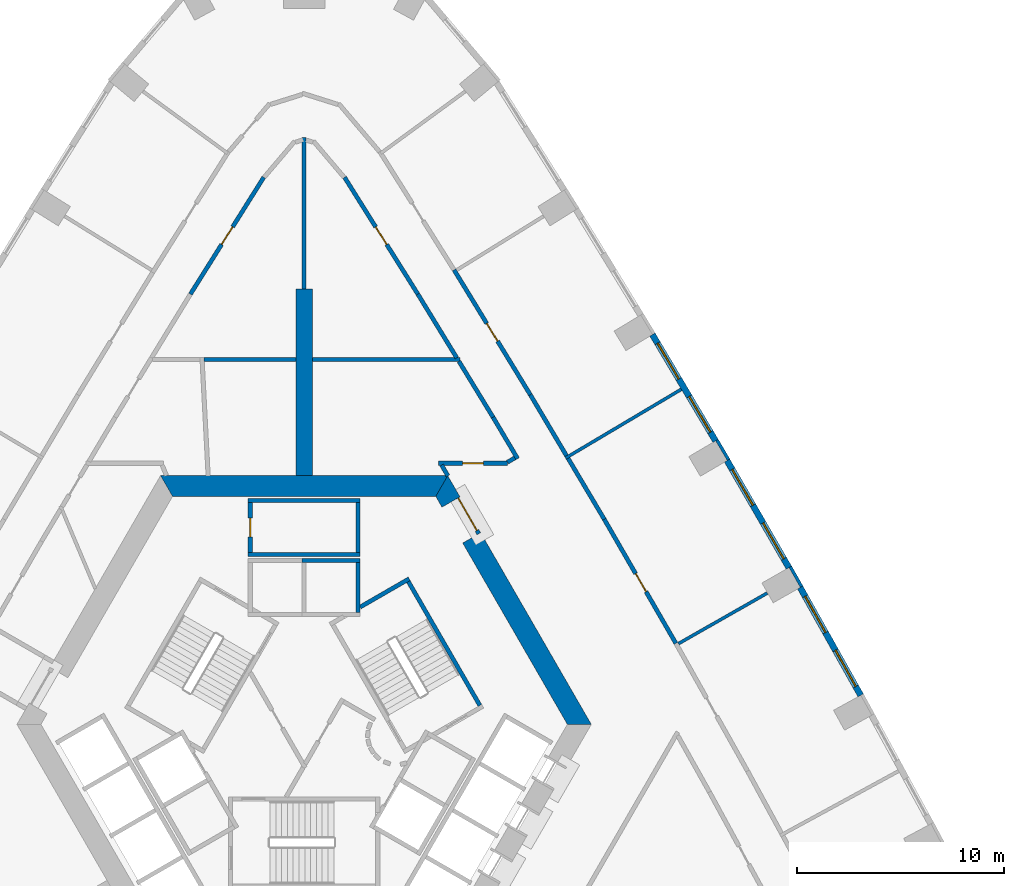
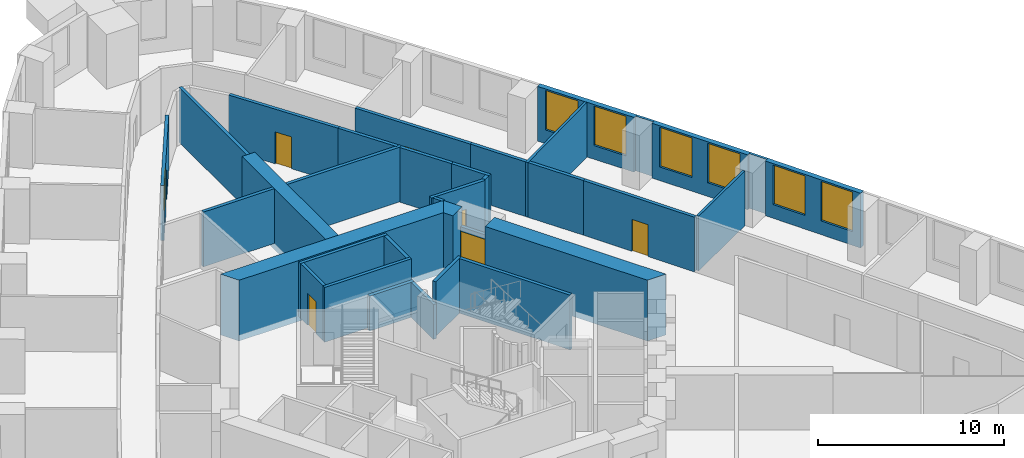
# One storey, part 9 of 14: 35 walls, 7 doors, 6 windows, 13 openings.
"""IFC4 building model written with IfcOpenShell, lengths in metres."""

import ifcopenshell
import ifcopenshell.guid

model = None  # the IFC model being written
_history = None  # IfcOwnerHistory: only IFC2X3 demands one
_inside = {}  # id of a spatial element -> (the spatial element, [elements in it])
_under = {}  # id of a project, library or spatial element -> (it, [spatial elements below it])
_declared = {}  # id of a project -> (the project, [libraries it declares])
_typed = {}  # id of a type object -> (the type object, [elements of that type])
_made_of = {}  # id of a material, layer set ... -> (it, [elements and type objects made of it])


def new_model(schema):
    """Start an empty IFC model of exactly this schema.

    Asked for "IFC4X3", IfcOpenShell would pick the latest addendum, in which some entities
    have other attributes; the version numbers below select the first issue.
    IFC2X3 requires an IfcOwnerHistory on every rooted entity: one is made here for all.
    """
    global model, _history
    if schema == "IFC4X3":
        model = ifcopenshell.file(schema_version=(4, 3, 0, 0))
    else:
        model = ifcopenshell.file(schema=schema)
    _inside.clear()
    _under.clear()
    _declared.clear()
    _typed.clear()
    _made_of.clear()
    _history = None
    if model.schema == "IFC2X3":
        org = make("IfcOrganization", Name="unknown")
        user = make(
            "IfcPersonAndOrganization",
            ThePerson=make("IfcPerson", FamilyName="unknown"),
            TheOrganization=org,
        )
        app = make(
            "IfcApplication",
            ApplicationDeveloper=org,
            Version="unknown",
            ApplicationFullName="unknown",
            ApplicationIdentifier="unknown",
        )
        _history = make(
            "IfcOwnerHistory",
            OwningUser=user,
            OwningApplication=app,
            ChangeAction="ADDED",
            CreationDate=0,
        )
    return model


def make(cls, **values):
    """One entity of the class cls with the attributes given. An attribute that is None is left unset."""
    return model.create_entity(
        cls, **{name: value for name, value in values.items() if value is not None}
    )


def rooted(cls, **values):
    """An entity with a GlobalId (a new one), such as an element, a storey or a relation."""
    return make(cls, GlobalId=ifcopenshell.guid.new(), OwnerHistory=_history, **values)


def si_unit(unit_type, name, prefix=None):
    """IfcSIUnit, for example si_unit("LENGTHUNIT", "METRE", prefix="MILLI")."""
    return make("IfcSIUnit", UnitType=unit_type, Prefix=prefix, Name=name)


def assignment(units):
    """IfcUnitAssignment: the units of a project."""
    return None if units is None else make("IfcUnitAssignment", Units=units)


def point(xyz):
    """IfcCartesianPoint."""
    return None if xyz is None else make("IfcCartesianPoint", Coordinates=xyz)


def direction(xyz):
    """IfcDirection."""
    return None if xyz is None else make("IfcDirection", DirectionRatios=xyz)


def frame(location, z_axis=None, x_axis=None):
    """IfcAxis2Placement3D, a coordinate frame: its origin and axes. An axis left out is left unset."""
    return make(
        "IfcAxis2Placement3D",
        Location=point(location),
        Axis=direction(z_axis),
        RefDirection=direction(x_axis),
    )


def frame_2d(location, x_axis=None):
    """IfcAxis2Placement2D, a coordinate frame in the plane: its origin and x axis."""
    return make(
        "IfcAxis2Placement2D", Location=point(location), RefDirection=direction(x_axis)
    )


def origin():
    """The frame at (0, 0, 0) with its axes left unset."""
    return frame((0.0, 0.0, 0.0))


def place(relative_to, where):
    """IfcLocalPlacement: puts the frame where relative to a parent placement (None: the world)."""
    return make(
        "IfcLocalPlacement", PlacementRelTo=relative_to, RelativePlacement=where
    )


def context(
    kind, dimensions, precision=None, world=None, true_north=None, identifier=None
):
    """IfcGeometricRepresentationContext, for example the 3D "Model" context."""
    return make(
        "IfcGeometricRepresentationContext",
        ContextIdentifier=identifier,
        ContextType=kind,
        CoordinateSpaceDimension=dimensions,
        Precision=precision,
        WorldCoordinateSystem=world,
        TrueNorth=true_north,
    )


def subcontext(parent, identifier, kind, view, scale=None):
    """IfcGeometricRepresentationSubContext, for example "Body" below "Model"."""
    return make(
        "IfcGeometricRepresentationSubContext",
        ContextIdentifier=identifier,
        ContextType=kind,
        ParentContext=parent,
        TargetScale=scale,
        TargetView=view,
    )


def project(units=None, contexts=None):
    """IfcProject with its units and contexts."""
    return rooted(
        "IfcProject",
        Name="project",
        RepresentationContexts=contexts,
        UnitsInContext=assignment(units),
    )


def spatial(cls, under=None, at=None, **own):
    """A site, building, storey or space (cls), placed at a placement, below another one or the project."""
    s = rooted(cls, ObjectPlacement=at, **own)
    if under is not None:
        _under.setdefault(under.id(), (under, []))[1].append(s)
    return s


def polyline(points):
    """IfcPolyline through the points."""
    return make("IfcPolyline", Points=[point(p) for p in points])


def profile(cls, at=None, kind="AREA", **sizes):
    """A parametric profile (cls). Its sizes go by their IFC names, for example OverallWidth=200.0."""
    return make(cls, ProfileType=kind, Position=at, **sizes)


def rectangle(**sizes):
    """IfcRectangleProfileDef."""
    return profile("IfcRectangleProfileDef", **sizes)


def outline(outer, holes=None, kind="AREA"):
    """IfcArbitraryClosedProfileDef: a profile drawn as a closed curve; with holes, ...WithVoids."""
    if holes is None:
        return make("IfcArbitraryClosedProfileDef", ProfileType=kind, OuterCurve=outer)
    return make(
        "IfcArbitraryProfileDefWithVoids",
        ProfileType=kind,
        OuterCurve=outer,
        InnerCurves=holes,
    )


def extrude(swept, where, along, depth):
    """IfcExtrudedAreaSolid: the profile swept, set in the frame where, extruded along a direction by depth."""
    return make(
        "IfcExtrudedAreaSolid",
        SweptArea=swept,
        Position=where,
        ExtrudedDirection=direction(along),
        Depth=depth,
    )


def shape(context_of_items, identifier, shape_type, items):
    """IfcShapeRepresentation: the items that make up one representation, for example the "Body"."""
    return make(
        "IfcShapeRepresentation",
        ContextOfItems=context_of_items,
        RepresentationIdentifier=identifier,
        RepresentationType=shape_type,
        Items=items,
    )


def material(Name=None, Category=None):
    """IfcMaterial."""
    return make("IfcMaterial", Name=Name, Category=Category)


def layer(
    of_material, thickness, ventilated=None, Name=None, Category=None, Priority=None
):
    """IfcMaterialLayer: one layer of a wall or slab, of a material (None: an air gap)."""
    return make(
        "IfcMaterialLayer",
        Material=of_material,
        LayerThickness=thickness,
        IsVentilated=ventilated,
        Name=Name,
        Category=Category,
        Priority=Priority,
    )


def layer_set(layers, Name=None):
    """IfcMaterialLayerSet."""
    return make("IfcMaterialLayerSet", MaterialLayers=layers, LayerSetName=Name)


def made_of(thing, what):
    """Note that an element or type object is made of a material, layer set ...; save() writes the relation."""
    if what is not None:
        _made_of.setdefault(what.id(), (what, []))[1].append(thing)
    return thing


def type_object(cls, material=None, **own):
    """A type object (cls), such as IfcWallType, which elements share."""
    return made_of(rooted(cls, **own), material)


def element(
    cls,
    number,
    at=None,
    inside=None,
    cuts=None,
    type_object=None,
    material=None,
    context=None,
    identifier="Body",
    shape_type=None,
    held_by="IfcProductDefinitionShape",
    body=None,
    shapes=None,
    **own,
):
    """One element of the class cls, such as IfcWall. Its Tag is "e" and its number.

    at: its placement. inside: the storey or other place that contains it. cuts: it is an
    opening in that element (IfcRelVoidsElement). A single representation is given by context,
    identifier, shape_type and body (its items); several are given by shapes. held_by: the class
    of the entity that holds the representations. save() writes the other relations.
    """
    e = rooted(cls, Tag="e%d" % number, ObjectPlacement=at, **own)
    if body is not None:
        shapes = [shape(context, identifier, shape_type, body)]
    if shapes is not None:
        e.Representation = make(held_by, Representations=shapes)
    if inside is not None:
        _inside.setdefault(inside.id(), (inside, []))[1].append(e)
    if cuts is not None:
        rooted(
            "IfcRelVoidsElement", RelatingBuildingElement=cuts, RelatedOpeningElement=e
        )
    if type_object is not None:
        _typed.setdefault(type_object.id(), (type_object, []))[1].append(e)
    return made_of(e, material)


def fill(opening, filler):
    """IfcRelFillsElement: the door or window that sits in an opening."""
    return rooted(
        "IfcRelFillsElement",
        RelatingOpeningElement=opening,
        RelatedBuildingElement=filler,
    )


def aggregate(whole, parts):
    """IfcRelAggregates: a whole, such as a stair, and the parts it consists of."""
    return rooted("IfcRelAggregates", RelatingObject=whole, RelatedObjects=parts)


def save(model, path):
    """Write the relations noted so far, then the file.

    IfcRelAggregates (storeys below a building ...), IfcRelContainedInSpatialStructure (elements
    in a storey), IfcRelDefinesByType, IfcRelAssociatesMaterial and IfcRelDeclares: one each for
    every whole, place, type object, material and project.
    """
    for whole, parts in _under.values():
        aggregate(whole, parts)
    for where, things in _inside.values():
        rooted(
            "IfcRelContainedInSpatialStructure",
            RelatedElements=things,
            RelatingStructure=where,
        )
    for kind, things in _typed.values():
        rooted("IfcRelDefinesByType", RelatedObjects=things, RelatingType=kind)
    for what, things in _made_of.values():
        rooted("IfcRelAssociatesMaterial", RelatedObjects=things, RelatingMaterial=what)
    for by, libraries in _declared.values():
        rooted("IfcRelDeclares", RelatingContext=by, RelatedDefinitions=libraries)
    model.write(path)


model = new_model("IFC4")

# Units and contexts
model_context = context("Model", 3, precision=1e-05, world=origin(), true_north=direction((0.0, 1.0)))
body_context = subcontext(model_context, "Body", "Model", "MODEL_VIEW")
ifc_project = project(units=[si_unit("LENGTHUNIT", "METRE"), si_unit("AREAUNIT", "SQUARE_METRE"), si_unit("VOLUMEUNIT", "CUBIC_METRE"), si_unit("PLANEANGLEUNIT", "RADIAN"), si_unit("MASSUNIT", "GRAM", prefix="KILO")], contexts=[model_context])

# Site, building, storey
site_placement = place(None, origin())
site = spatial("IfcSite", under=ifc_project, at=site_placement, CompositionType="ELEMENT")
building_placement = place(site_placement, origin())
building = spatial("IfcBuilding", under=site, at=building_placement, Name="Entoto Arch Interchange Tower", CompositionType="ELEMENT")
storey_placement = place(building_placement, frame((0.0, 0.0, 180.199951171875)))
storey = spatial("IfcBuildingStorey", under=building, at=storey_placement, Name="L40", CompositionType="ELEMENT", Elevation=180.199951171875)

# Wall
ifc_material_1 = material(Name="Concrete C50/60", Category="concrete")
ifc_layer_1 = layer(ifc_material_1, 0.800048828125)
ifc_layer_set_1 = layer_set([ifc_layer_1], Name="Concrete C50/60")
wall_type_1 = type_object("IfcWallType", Name="Buttress wall 800 C50/60", PredefinedType="SHEAR", material=ifc_layer_set_1)
wall_1_placement = place(storey_placement, frame((0.0, 14.5, -0.39990234375), z_axis=(0.0, 0.0, 1.0), x_axis=(0.0, 1.0, 0.0)))
element("IfcWall", 1, at=wall_1_placement, inside=storey, type_object=wall_type_1, Name="Buttress wall N L40", PredefinedType="SHEAR", context=body_context, shape_type="SweptSolid", body=[
    extrude(rectangle(XDim=9.0, YDim=0.800048828125, at=frame_2d((4.5, 0.0))), origin(), (0.0, 0.0, 1.0), 4.0),
])

# Wall, opening, door
ifc_material_2 = material(Name="Reinforced concrete C40/50", Category="concrete")
ifc_layer_2 = layer(ifc_material_2, 0.199951171875)
ifc_layer_set_2 = layer_set([ifc_layer_2], Name="Reinforced concrete C40/50")
wall_type_2 = type_object("IfcWallType", Name="CORE GAP INFILL WALL", PredefinedType="PARTITIONING", material=ifc_layer_set_2)
wall_2_placement = place(storey_placement, frame((8.429931640625, 11.697998046875, 0.0), z_axis=(0.0, 0.0, 1.0), x_axis=(-0.50002537861, 0.866010750942, 0.0)))
wall_2 = element("IfcWall", 2, at=wall_2_placement, inside=storey, type_object=wall_type_2, Name="wall:L40:gap2", PredefinedType="PARTITIONING", context=body_context, shape_type="SweptSolid", body=[
    extrude(rectangle(XDim=2.0, YDim=0.199951171875, at=frame_2d((1.0, 0.0))), origin(), (0.0, 0.0, 1.0), 2.400146484375),
])
opening_1_placement = place(wall_2_placement, frame((0.18994140625, 0.0, 0.0)))
opening_1 = element("IfcOpeningElement", 3, at=opening_1_placement, cuts=wall_2, Name="Opening L40-D92", PredefinedType="OPENING", context=body_context, shape_type="SweptSolid", body=[
    extrude(rectangle(XDim=1.800048828125, YDim=2.10009765625, at=frame_2d((0.89990234375, 1.050048828125))), frame((0.0, 0.10986328125, 0.0), z_axis=(0.0, -1.0, 0.0), x_axis=(1.0, 0.0, 0.0)), (0.0, 0.0, 1.0), 0.219970703125),
])
ifc_material_3 = material(Name="Fire-rated Steel S235 door and frame", Category="steel")
door_type_1 = type_object("IfcDoorType", Name="DOOR FD-18 1800x2100", OperationType="DOUBLE_DOOR_SINGLE_SWING", PredefinedType="DOOR", material=ifc_material_3)
door_1_placement = place(opening_1_placement, origin())
door_1 = element("IfcDoor", 4, at=door_1_placement, inside=storey, type_object=door_type_1, Name="door:L40:gap2", OperationType="DOUBLE_DOOR_SINGLE_SWING", OverallHeight=2.10009765625, OverallWidth=1.800048828125, PredefinedType="DOOR", context=body_context, shape_type="SweptSolid", body=[
    extrude(rectangle(XDim=1.800048828125, YDim=2.10009765625, at=frame_2d((0.89990234375, 1.050048828125))), frame((0.0, 0.02490234375, 0.0), z_axis=(0.0, -1.0, 0.0), x_axis=(1.0, 0.0, 0.0)), (0.0, 0.0, 1.0), 0.050048828125),
])
fill(opening_1, door_1)

# Walls
ifc_layer_3 = layer(ifc_material_1, 1.0)
ifc_layer_set_3 = layer_set([ifc_layer_3], Name="Concrete C50/60")
wall_type_3 = type_object("IfcWallType", Name="Core wall 1000 C50/60", PredefinedType="SHEAR", material=ifc_layer_set_3)
wall_3_placement = place(storey_placement, frame((0.0, 0.0, -0.39990234375)))
element("IfcWall", 5, at=wall_3_placement, inside=storey, type_object=wall_type_3, Name="Core wall NE L40", PredefinedType="SHEAR", context=body_context, shape_type="SweptSolid", body=[
    extrude(outline(polyline([(8.51708984375, 11.748046875), (7.65087890625, 11.248046875), (12.701904296875, 2.5), (13.85595703125, 2.5), (8.51708984375, 11.748046875)])), origin(), (0.0, 0.0, 1.0), 4.0),
])
wall_4_placement = place(storey_placement, frame((0.0, 0.0, -0.39990234375)))
element("IfcWall", 6, at=wall_4_placement, inside=storey, type_object=wall_type_3, Name="Core wall NE L40", PredefinedType="SHEAR", context=body_context, shape_type="SweptSolid", body=[
    extrude(outline(polyline([(6.65087890625, 12.97998046875), (7.51708984375, 13.47998046875), (6.927978515625, 14.5), (6.35107421875, 13.5), (6.65087890625, 12.97998046875)])), origin(), (0.0, 0.0, 1.0), 4.0),
])
wall_5_placement = place(storey_placement, frame((0.0, 0.0, -0.39990234375)))
element("IfcWall", 7, at=wall_5_placement, inside=storey, type_object=wall_type_3, Name="Core wall N L40", PredefinedType="SHEAR", context=body_context, shape_type="SweptSolid", body=[
    extrude(outline(polyline([(6.927978515625, 14.5), (-6.927978515625, 14.5), (-6.35107421875, 13.5), (6.35107421875, 13.5), (6.927978515625, 14.5)])), origin(), (0.0, 0.0, 1.0), 4.0),
])
ifc_material_4 = material(Name="Concrete C40/50", Category="concrete")
ifc_layer_4 = layer(ifc_material_4, 0.199951171875)
ifc_layer_set_4 = layer_set([ifc_layer_4], Name="Concrete C40/50")
wall_type_4 = type_object("IfcWallType", Name="LIFT SHAFT WALL 200", PredefinedType="STANDARD", material=ifc_layer_set_4)
wall_6_placement = place(storey_placement, frame((2.699951171875, 10.39990234375, 0.0), z_axis=(0.0, 0.0, 1.0), x_axis=(-1.0, 0.0, 0.0)))
element("IfcWall", 8, at=wall_6_placement, inside=storey, type_object=wall_type_4, Name="Pit wall HR1 2", PredefinedType="STANDARD", context=body_context, shape_type="SweptSolid", body=[
    extrude(rectangle(XDim=2.800048828125, YDim=0.199951171875, at=frame_2d((1.39990234375, 0.0))), origin(), (0.0, 0.0, 1.0), 2.300048828125),
])
wall_7_placement = place(storey_placement, frame((2.60009765625, 7.89990234375, 0.0), z_axis=(0.0, 0.0, 1.0), x_axis=(0.0, 1.0, 0.0)))
element("IfcWall", 9, at=wall_7_placement, inside=storey, type_object=wall_type_4, Name="Pit wall HR1 3", PredefinedType="STANDARD", context=body_context, shape_type="SweptSolid", body=[
    extrude(rectangle(XDim=2.400146484375, YDim=0.199951171875, at=frame_2d((1.2001953125, 0.0))), origin(), (0.0, 0.0, 1.0), 2.300048828125),
])
ifc_material_5 = material(Name="Gypsum board partition on steel studs", Category="steel")
ifc_layer_5 = layer(ifc_material_5, 0.14990234375)
ifc_layer_set_5 = layer_set([ifc_layer_5], Name="Gypsum board partition on steel studs")
wall_type_5 = type_object("IfcWallType", Name="PARTITION 150", PredefinedType="PARTITIONING", material=ifc_layer_set_5)
wall_8_placement = place(storey_placement, frame((18.06201171875, 6.39501953125, 0.0), z_axis=(0.0, 0.0, 1.0), x_axis=(0.869113540562, 0.494612629854, 0.0)))
element("IfcWall", 10, at=wall_8_placement, inside=storey, type_object=wall_type_5, Name="wall:L40:p116", PredefinedType="PARTITIONING", context=body_context, shape_type="SweptSolid", body=[
    extrude(rectangle(XDim=4.92919921875, YDim=0.14990234375, at=frame_2d((2.464599609375, 0.0))), origin(), (0.0, 0.0, 1.0), 3.60009765625),
])
wall_9_placement = place(storey_placement, frame((12.613037109375, 15.347900390625, 0.0), z_axis=(0.0, 0.0, 1.0), x_axis=(0.85976815765, 0.510684555368, 0.0)))
element("IfcWall", 11, at=wall_9_placement, inside=storey, type_object=wall_type_5, Name="wall:L40:p117", PredefinedType="PARTITIONING", context=body_context, shape_type="SweptSolid", body=[
    extrude(rectangle(XDim=6.499267578125, YDim=0.14990234375, at=frame_2d((3.24951171875, 0.0))), origin(), (0.0, 0.0, 1.0), 3.60009765625),
])
ifc_layer_6 = layer(ifc_material_5, 0.199951171875)
ifc_layer_set_6 = layer_set([ifc_layer_6], Name="Gypsum board partition on steel studs")
wall_type_6 = type_object("IfcWallType", Name="PARTITION 200", PredefinedType="PARTITIONING", material=ifc_layer_set_6)
wall_10_placement = place(storey_placement, frame((6.93701171875, 14.488037109375, 0.0), z_axis=(0.0, 0.0, 1.0), x_axis=(-0.499908430952, 0.866078264744, 0.0)))
element("IfcWall", 12, at=wall_10_placement, inside=storey, type_object=wall_type_6, Name="wall:L40:p005", PredefinedType="PARTITIONING", context=body_context, shape_type="SweptSolid", body=[
    extrude(rectangle(XDim=0.60595703125, YDim=0.199951171875, at=frame_2d((0.302978515625, 0.0))), origin(), (0.0, 0.0, 1.0), 3.60009765625),
])

# Wall, opening, door
wall_11_placement = place(storey_placement, frame((6.48388671875, 15.10009765625, 0.0), z_axis=(0.0, 0.0, 1.0), x_axis=(1.0, 0.0, 0.0)))
wall_11 = element("IfcWall", 13, at=wall_11_placement, inside=storey, type_object=wall_type_6, Name="wall:L40:p006", PredefinedType="PARTITIONING", context=body_context, shape_type="SweptSolid", body=[
    extrude(rectangle(XDim=3.339111328125, YDim=0.199951171875, at=frame_2d((1.66943359375, 0.0))), origin(), (0.0, 0.0, 1.0), 3.60009765625),
])
opening_2_placement = place(wall_11_placement, frame((1.1689453125, 0.0, 0.0)))
opening_2 = element("IfcOpeningElement", 14, at=opening_2_placement, cuts=wall_11, Name="Opening L40-D23", PredefinedType="OPENING", context=body_context, shape_type="SweptSolid", body=[
    extrude(rectangle(XDim=1.0, YDim=2.10009765625, at=frame_2d((0.5, 1.050048828125))), frame((0.0, 0.10986328125, 0.0), z_axis=(0.0, -1.0, 0.0), x_axis=(1.0, 0.0, 0.0)), (0.0, 0.0, 1.0), 0.219970703125),
])
ifc_material_6 = material(Name="Timber door leaf in Steel S235 frame", Category="steel")
door_type_2 = type_object("IfcDoorType", Name="DOOR DS-10 1000x2100", OperationType="SINGLE_SWING_LEFT", PredefinedType="DOOR", material=ifc_material_6)
door_2_placement = place(opening_2_placement, origin())
door_2 = element("IfcDoor", 15, at=door_2_placement, inside=storey, type_object=door_type_2, Name="door:L40:23", OperationType="SINGLE_SWING_LEFT", OverallHeight=2.10009765625, OverallWidth=1.0, PredefinedType="DOOR", context=body_context, shape_type="SweptSolid", body=[
    extrude(rectangle(XDim=1.0, YDim=2.10009765625, at=frame_2d((0.5, 1.050048828125))), frame((0.0, 0.02490234375, 0.0), z_axis=(0.0, -1.0, 0.0), x_axis=(1.0, 0.0, 0.0)), (0.0, 0.0, 1.0), 0.050048828125),
])
fill(opening_2, door_2)

# Walls
wall_12_placement = place(storey_placement, frame((9.81005859375, 15.14990234375, 0.0), z_axis=(0.0, 0.0, 1.0), x_axis=(0.865888002441, 0.500237910626, 0.0)))
element("IfcWall", 16, at=wall_12_placement, inside=storey, type_object=wall_type_6, Name="wall:L40:p007", PredefinedType="PARTITIONING", context=body_context, shape_type="SweptSolid", body=[
    extrude(rectangle(XDim=0.409912109375, YDim=0.199951171875, at=frame_2d((0.205078125, 0.0))), origin(), (0.0, 0.0, 1.0), 3.60009765625),
])
wall_13_placement = place(storey_placement, frame((10.302978515625, 15.319091796875, 0.0), z_axis=(0.0, 0.0, 1.0), x_axis=(-0.510383520765, 0.859946894716, 0.0)))
element("IfcWall", 17, at=wall_13_placement, inside=storey, type_object=wall_type_6, Name="wall:L40:p008", PredefinedType="PARTITIONING", context=body_context, shape_type="SweptSolid", body=[
    extrude(rectangle(XDim=2.32568359375, YDim=0.199951171875, at=frame_2d((1.162841796875, 0.0))), origin(), (0.0, 0.0, 1.0), 3.60009765625),
])
wall_14_placement = place(storey_placement, frame((9.115966796875, 17.319091796875, 0.0), z_axis=(0.0, 0.0, 1.0), x_axis=(-0.521343721083, 0.853346778565, 0.0)))
element("IfcWall", 18, at=wall_14_placement, inside=storey, type_object=wall_type_6, Name="wall:L40:p009", PredefinedType="PARTITIONING", context=body_context, shape_type="SweptSolid", body=[
    extrude(rectangle(XDim=3.1591796875, YDim=0.199951171875, at=frame_2d((1.57958984375, 0.0))), origin(), (0.0, 0.0, 1.0), 3.60009765625),
])
wall_15_placement = place(storey_placement, frame((7.364990234375, 20.18505859375, 0.0), z_axis=(0.0, 0.0, 1.0), x_axis=(-0.521206053955, 0.853430869679, 0.0)))
element("IfcWall", 19, at=wall_15_placement, inside=storey, type_object=wall_type_6, Name="wall:L40:p012", PredefinedType="PARTITIONING", context=body_context, shape_type="SweptSolid", body=[
    extrude(rectangle(XDim=3.60302734375, YDim=0.199951171875, at=frame_2d((1.801513671875, 0.0))), origin(), (0.0, 0.0, 1.0), 3.60009765625),
])

# Wall, opening, door
wall_16_placement = place(storey_placement, frame((5.487060546875, 23.260009765625, 0.0), z_axis=(0.0, 0.0, 1.0), x_axis=(-0.531656179122, 0.846960274866, 0.0)))
wall_16 = element("IfcWall", 20, at=wall_16_placement, inside=storey, type_object=wall_type_6, Name="wall:L40:p013", PredefinedType="PARTITIONING", context=body_context, shape_type="SweptSolid", body=[
    extrude(rectangle(XDim=6.65673828125, YDim=0.199951171875, at=frame_2d((3.328369140625, 0.0))), origin(), (0.0, 0.0, 1.0), 3.60009765625),
])
opening_3_placement = place(wall_16_placement, frame((2.827880859375, 0.0, 0.0)))
opening_3 = element("IfcOpeningElement", 21, at=opening_3_placement, cuts=wall_16, Name="Opening L40-D25", PredefinedType="OPENING", context=body_context, shape_type="SweptSolid", body=[
    extrude(rectangle(XDim=1.0, YDim=2.10009765625, at=frame_2d((0.5, 1.050048828125))), frame((0.0, 0.10986328125, 0.0), z_axis=(0.0, -1.0, 0.0), x_axis=(1.0, 0.0, 0.0)), (0.0, 0.0, 1.0), 0.219970703125),
])
door_3_placement = place(opening_3_placement, origin())
door_3 = element("IfcDoor", 22, at=door_3_placement, inside=storey, type_object=door_type_2, Name="door:L40:25", OperationType="SINGLE_SWING_LEFT", OverallHeight=2.10009765625, OverallWidth=1.0, PredefinedType="DOOR", context=body_context, shape_type="SweptSolid", body=[
    extrude(rectangle(XDim=1.0, YDim=2.10009765625, at=frame_2d((0.5, 1.050048828125))), frame((0.0, 0.02490234375, 0.0), z_axis=(0.0, -1.0, 0.0), x_axis=(1.0, 0.0, 0.0)), (0.0, 0.0, 1.0), 0.050048828125),
])
fill(opening_3, door_3)

wall_17_placement = place(storey_placement, frame((-1.947998046875, 28.89794921875, 0.0), z_axis=(0.0, 0.0, 1.0), x_axis=(-0.531656179122, -0.846960274866, 0.0)))
wall_17 = element("IfcWall", 23, at=wall_17_placement, inside=storey, type_object=wall_type_6, Name="wall:L40:p018", PredefinedType="PARTITIONING", context=body_context, shape_type="SweptSolid", body=[
    extrude(rectangle(XDim=6.65673828125, YDim=0.199951171875, at=frame_2d((3.328369140625, 0.0))), origin(), (0.0, 0.0, 1.0), 3.60009765625),
])
opening_4_placement = place(wall_17_placement, frame((2.827880859375, 0.0, 0.0)))
opening_4 = element("IfcOpeningElement", 24, at=opening_4_placement, cuts=wall_17, Name="Opening L40-D26", PredefinedType="OPENING", context=body_context, shape_type="SweptSolid", body=[
    extrude(rectangle(XDim=1.0, YDim=2.10009765625, at=frame_2d((0.5, 1.050048828125))), frame((0.0, 0.10986328125, 0.0), z_axis=(0.0, -1.0, 0.0), x_axis=(1.0, 0.0, 0.0)), (0.0, 0.0, 1.0), 0.219970703125),
])
door_4_placement = place(opening_4_placement, origin())
door_4 = element("IfcDoor", 25, at=door_4_placement, inside=storey, type_object=door_type_2, Name="door:L40:26", OperationType="SINGLE_SWING_LEFT", OverallHeight=2.10009765625, OverallWidth=1.0, PredefinedType="DOOR", context=body_context, shape_type="SweptSolid", body=[
    extrude(rectangle(XDim=1.0, YDim=2.10009765625, at=frame_2d((0.5, 1.050048828125))), frame((0.0, 0.02490234375, 0.0), z_axis=(0.0, -1.0, 0.0), x_axis=(1.0, 0.0, 0.0)), (0.0, 0.0, 1.0), 0.050048828125),
])
fill(opening_4, door_4)

# Wall
wall_18_placement = place(storey_placement, frame((12.737060546875, 15.333984375, 0.0), z_axis=(0.0, 0.0, 1.0), x_axis=(0.51050904729, -0.859872381598, 0.0)))
element("IfcWall", 26, at=wall_18_placement, inside=storey, type_object=wall_type_6, Name="wall:L40:p053", PredefinedType="PARTITIONING", context=body_context, shape_type="SweptSolid", body=[
    extrude(rectangle(XDim=3.41796875, YDim=0.199951171875, at=frame_2d((1.708984375, 0.0))), origin(), (0.0, 0.0, 1.0), 3.60009765625),
])

# Wall, opening, door
wall_19_placement = place(storey_placement, frame((14.48193359375, 12.39501953125, 0.0), z_axis=(0.0, 0.0, 1.0), x_axis=(0.499953847993, -0.866052048018, 0.0)))
wall_19 = element("IfcWall", 27, at=wall_19_placement, inside=storey, type_object=wall_type_6, Name="wall:L40:p054", PredefinedType="PARTITIONING", context=body_context, shape_type="SweptSolid", body=[
    extrude(rectangle(XDim=6.910888671875, YDim=0.199951171875, at=frame_2d((3.45556640625, 0.0))), origin(), (0.0, 0.0, 1.0), 3.60009765625),
])
opening_5_placement = place(wall_19_placement, frame((3.030029296875, 0.0, 0.0)))
opening_5 = element("IfcOpeningElement", 28, at=opening_5_placement, cuts=wall_19, Name="Opening L40-D06", PredefinedType="OPENING", context=body_context, shape_type="SweptSolid", body=[
    extrude(rectangle(XDim=1.0, YDim=2.10009765625, at=frame_2d((0.5, 1.050048828125))), frame((0.0, 0.10986328125, 0.0), z_axis=(0.0, -1.0, 0.0), x_axis=(1.0, 0.0, 0.0)), (0.0, 0.0, 1.0), 0.219970703125),
])
door_5_placement = place(opening_5_placement, origin())
door_5 = element("IfcDoor", 29, at=door_5_placement, inside=storey, type_object=door_type_2, Name="door:L40:06", OperationType="SINGLE_SWING_LEFT", OverallHeight=2.10009765625, OverallWidth=1.0, PredefinedType="DOOR", context=body_context, shape_type="SweptSolid", body=[
    extrude(rectangle(XDim=1.0, YDim=2.10009765625, at=frame_2d((0.5, 1.050048828125))), frame((0.0, 0.02490234375, 0.0), z_axis=(0.0, -1.0, 0.0), x_axis=(1.0, 0.0, 0.0)), (0.0, 0.0, 1.0), 0.050048828125),
])
fill(opening_5, door_5)

wall_20_placement = place(storey_placement, frame((7.23388671875, 24.429931640625, 0.0), z_axis=(0.0, 0.0, 1.0), x_axis=(0.521189922749, -0.853440721096, 0.0)))
wall_20 = element("IfcWall", 30, at=wall_20_placement, inside=storey, type_object=wall_type_6, Name="wall:L40:p055", PredefinedType="PARTITIONING", context=body_context, shape_type="SweptSolid", body=[
    extrude(rectangle(XDim=7.06298828125, YDim=0.199951171875, at=frame_2d((3.531494140625, 0.0))), origin(), (0.0, 0.0, 1.0), 3.60009765625),
])
opening_6_placement = place(wall_20_placement, frame((3.031005859375, 0.0, 0.0)))
opening_6 = element("IfcOpeningElement", 31, at=opening_6_placement, cuts=wall_20, Name="Opening L40-D07", PredefinedType="OPENING", context=body_context, shape_type="SweptSolid", body=[
    extrude(rectangle(XDim=1.0, YDim=2.10009765625, at=frame_2d((0.5, 1.050048828125))), frame((0.0, 0.10986328125, 0.0), z_axis=(0.0, -1.0, 0.0), x_axis=(1.0, 0.0, 0.0)), (0.0, 0.0, 1.0), 0.219970703125),
])
door_6_placement = place(opening_6_placement, origin())
door_6 = element("IfcDoor", 32, at=door_6_placement, inside=storey, type_object=door_type_2, Name="door:L40:07", OperationType="SINGLE_SWING_RIGHT", OverallHeight=2.10009765625, OverallWidth=1.0, PredefinedType="DOOR", context=body_context, shape_type="SweptSolid", body=[
    extrude(rectangle(XDim=1.0, YDim=2.10009765625, at=frame_2d((0.5, 1.050048828125))), frame((0.0, 0.02490234375, 0.0), z_axis=(0.0, -1.0, 0.0), x_axis=(1.0, 0.0, 0.0)), (0.0, 0.0, 1.0), 0.050048828125),
])
fill(opening_6, door_6)

# Wall
wall_21_placement = place(storey_placement, frame((10.9150390625, 18.402099609375, 0.0), z_axis=(0.0, 0.0, 1.0), x_axis=(0.510477693133, -0.85989099589, 0.0)))
element("IfcWall", 33, at=wall_21_placement, inside=storey, type_object=wall_type_6, Name="wall:L40:p056", PredefinedType="PARTITIONING", context=body_context, shape_type="SweptSolid", body=[
    extrude(rectangle(XDim=3.418212890625, YDim=0.199951171875, at=frame_2d((1.708984375, 0.0))), origin(), (0.0, 0.0, 1.0), 3.60009765625),
])

# Wall, opening, door
wall_22_placement = place(storey_placement, frame((-2.60009765625, 10.800048828125, 0.0), z_axis=(0.0, 0.0, 1.0), x_axis=(0.0, 1.0, 0.0)))
wall_22 = element("IfcWall", 34, at=wall_22_placement, inside=storey, type_object=wall_type_6, Name="wall:L40:p078", PredefinedType="PARTITIONING", context=body_context, shape_type="SweptSolid", body=[
    extrude(rectangle(XDim=2.39990234375, YDim=0.199951171875, at=frame_2d((1.199951171875, 0.0))), origin(), (0.0, 0.0, 1.0), 3.60009765625),
])
opening_7_placement = place(wall_22_placement, frame((0.75, 0.0, 0.0)))
opening_7 = element("IfcOpeningElement", 35, at=opening_7_placement, cuts=wall_22, Name="Opening L40-D32", PredefinedType="OPENING", context=body_context, shape_type="SweptSolid", body=[
    extrude(rectangle(XDim=0.89990234375, YDim=2.10009765625, at=frame_2d((0.449951171875, 1.050048828125))), frame((0.0, 0.10986328125, 0.0), z_axis=(0.0, -1.0, 0.0), x_axis=(1.0, 0.0, 0.0)), (0.0, 0.0, 1.0), 0.219970703125),
])
door_type_3 = type_object("IfcDoorType", Name="DOOR DS-09 900x2100", OperationType="SINGLE_SWING_LEFT", PredefinedType="DOOR", material=ifc_material_6)
door_7_placement = place(opening_7_placement, origin())
door_7 = element("IfcDoor", 36, at=door_7_placement, inside=storey, type_object=door_type_3, Name="door:L40:32", OperationType="SINGLE_SWING_LEFT", OverallHeight=2.10009765625, OverallWidth=0.89990234375, PredefinedType="DOOR", context=body_context, shape_type="SweptSolid", body=[
    extrude(rectangle(XDim=0.89990234375, YDim=2.10009765625, at=frame_2d((0.449951171875, 1.050048828125))), frame((0.0, 0.02490234375, 0.0), z_axis=(0.0, -1.0, 0.0), x_axis=(1.0, 0.0, 0.0)), (0.0, 0.0, 1.0), 0.050048828125),
])
fill(opening_7, door_7)

# Walls
wall_23_placement = place(storey_placement, frame((-2.699951171875, 13.300048828125, 0.0), z_axis=(0.0, 0.0, 1.0), x_axis=(1.0, 0.0, 0.0)))
element("IfcWall", 37, at=wall_23_placement, inside=storey, type_object=wall_type_6, Name="wall:L40:p079", PredefinedType="PARTITIONING", context=body_context, shape_type="SweptSolid", body=[
    extrude(rectangle(XDim=5.39990234375, YDim=0.199951171875, at=frame_2d((2.699951171875, 0.0))), origin(), (0.0, 0.0, 1.0), 3.60009765625),
])
wall_24_placement = place(storey_placement, frame((2.60009765625, 13.199951171875, 0.0), z_axis=(0.0, 0.0, 1.0), x_axis=(0.0, -1.0, 0.0)))
element("IfcWall", 38, at=wall_24_placement, inside=storey, type_object=wall_type_6, Name="wall:L40:p080", PredefinedType="PARTITIONING", context=body_context, shape_type="SweptSolid", body=[
    extrude(rectangle(XDim=2.39990234375, YDim=0.199951171875, at=frame_2d((1.199951171875, 0.0))), origin(), (0.0, 0.0, 1.0), 3.60009765625),
])
wall_25_placement = place(storey_placement, frame((2.699951171875, 10.699951171875, 0.0), z_axis=(0.0, 0.0, 1.0), x_axis=(-1.0, 0.0, 0.0)))
element("IfcWall", 39, at=wall_25_placement, inside=storey, type_object=wall_type_6, Name="wall:L40:p081", PredefinedType="PARTITIONING", context=body_context, shape_type="SweptSolid", body=[
    extrude(rectangle(XDim=5.39990234375, YDim=0.199951171875, at=frame_2d((2.699951171875, 0.0))), origin(), (0.0, 0.0, 1.0), 3.60009765625),
])
wall_26_placement = place(storey_placement, frame((0.39990234375, 20.10009765625, 0.0), z_axis=(0.0, 0.0, 1.0), x_axis=(1.0, 0.0, 0.0)))
element("IfcWall", 40, at=wall_26_placement, inside=storey, type_object=wall_type_6, Name="wall:L40:p104", PredefinedType="PARTITIONING", context=body_context, shape_type="SweptSolid", body=[
    extrude(rectangle(XDim=7.1171875, YDim=0.199951171875, at=frame_2d((3.55859375, 0.0))), origin(), (0.0, 0.0, 1.0), 3.60009765625),
])
wall_27_placement = place(storey_placement, frame((-4.824951171875, 20.10009765625, 0.0), z_axis=(0.0, 0.0, 1.0), x_axis=(1.0, 0.0, 0.0)))
element("IfcWall", 41, at=wall_27_placement, inside=storey, type_object=wall_type_6, Name="wall:L40:p105", PredefinedType="PARTITIONING", context=body_context, shape_type="SweptSolid", body=[
    extrude(rectangle(XDim=4.425048828125, YDim=0.199951171875, at=frame_2d((2.21240234375, 0.0))), origin(), (0.0, 0.0, 1.0), 3.60009765625),
])
wall_28_placement = place(storey_placement, frame((0.0, 23.5, 0.0), z_axis=(0.0, 0.0, 1.0), x_axis=(0.0, 1.0, 0.0)))
element("IfcWall", 42, at=wall_28_placement, inside=storey, type_object=wall_type_6, Name="wall:L40:p107", PredefinedType="PARTITIONING", context=body_context, shape_type="SweptSolid", body=[
    extrude(rectangle(XDim=7.322998046875, YDim=0.199951171875, at=frame_2d((3.66162109375, 0.0))), origin(), (0.0, 0.0, 1.0), 3.60009765625),
])
ifc_layer_7 = layer(ifc_material_4, 0.199951171875)
ifc_layer_set_7 = layer_set([ifc_layer_7], Name="Concrete C40/50")
wall_type_7 = type_object("IfcWallType", Name="STAIR ENCLOSURE WALL 200", PredefinedType="STANDARD", material=ifc_layer_set_7)
wall_29_placement = place(storey_placement, frame((2.699951171875, 8.157958984375, 0.0), z_axis=(0.0, 0.0, 1.0), x_axis=(0.86611865017, 0.499838457731, 0.0)))
element("IfcWall", 43, at=wall_29_placement, inside=storey, type_object=wall_type_7, Name="Stair wall ST-NE far", PredefinedType="STANDARD", context=body_context, shape_type="SweptSolid", body=[
    extrude(rectangle(XDim=2.73291015625, YDim=0.199951171875, at=frame_2d((1.366455078125, 0.0))), origin(), (0.0, 0.0, 1.0), 3.60009765625),
])
wall_30_placement = place(storey_placement, frame((8.47998046875, 3.412109375, 0.0), z_axis=(0.0, 0.0, 1.0), x_axis=(-0.499978703459, 0.866037698999, 0.0)))
element("IfcWall", 44, at=wall_30_placement, inside=storey, type_object=wall_type_7, Name="Stair wall ST-NE back", PredefinedType="STANDARD", context=body_context, shape_type="SweptSolid", body=[
    extrude(rectangle(XDim=6.900146484375, YDim=0.199951171875, at=frame_2d((3.4501953125, 0.0))), origin(), (0.0, 0.0, 1.0), 3.60009765625),
])

# Wall, openings, windows
ifc_material_7 = material(Name="Welded tuff (ignimbrite) cladding, warm buff", Category="masonry")
ifc_layer_8 = layer(ifc_material_7, 0.300048828125)
ifc_layer_set_8 = layer_set([ifc_layer_8], Name="Welded tuff (ignimbrite) cladding, warm buff")
wall_type_8 = type_object("IfcWallType", Name="STONE INFILL WALL 300", PredefinedType="STANDARD", material=ifc_layer_set_8)
wall_31_placement = place(storey_placement, frame((26.85693359375, 3.89990234375, 0.0), z_axis=(0.0, 0.0, 1.0), x_axis=(-0.489305602904, 0.872112393541, 0.0)))
wall_31 = element("IfcWall", 45, at=wall_31_placement, inside=storey, type_object=wall_type_8, Name="Facade wall NE-03 L40", PredefinedType="STANDARD", context=body_context, shape_type="SweptSolid", body=[
    extrude(rectangle(XDim=5.969482421875, YDim=0.300048828125, at=frame_2d((2.98486328125, 0.0))), origin(), (0.0, 0.0, 1.0), 3.60009765625),
])
opening_8_placement = place(wall_31_placement, frame((0.491943359375, 0.0, 0.89990234375)))
opening_8 = element("IfcOpeningElement", 46, at=opening_8_placement, cuts=wall_31, Name="Opening WO-C", PredefinedType="OPENING", context=body_context, shape_type="SweptSolid", body=[
    extrude(rectangle(XDim=2.0, YDim=2.60009765625, at=frame_2d((1.0, 1.300048828125))), frame((0.0, 0.16015625, 0.0), z_axis=(0.0, -1.0, 0.0), x_axis=(1.0, 0.0, 0.0)), (0.0, 0.0, 1.0), 0.320068359375),
])
opening_9_placement = place(wall_31_placement, frame((3.47705078125, 0.0, 0.89990234375)))
opening_9 = element("IfcOpeningElement", 47, at=opening_9_placement, cuts=wall_31, Name="Opening WO-C", PredefinedType="OPENING", context=body_context, shape_type="SweptSolid", body=[
    extrude(rectangle(XDim=2.0, YDim=2.60009765625, at=frame_2d((1.0, 1.300048828125))), frame((0.0, 0.16015625, 0.0), z_axis=(0.0, -1.0, 0.0), x_axis=(1.0, 0.0, 0.0)), (0.0, 0.0, 1.0), 0.320068359375),
])
ifc_material_8 = material(Name="Clear glass, low-e double glazed", Category="glass")
window_type = type_object("IfcWindowType", Name="WINDOW WO-C 2000x2600", PartitioningType="DOUBLE_PANEL_VERTICAL", PredefinedType="WINDOW", material=ifc_material_8)
window_1_placement = place(opening_8_placement, origin())
window_1 = element("IfcWindow", 48, at=window_1_placement, inside=storey, type_object=window_type, Name="Window WO-C NE-03 L40", OverallHeight=2.60009765625, OverallWidth=2.0, PartitioningType="SINGLE_PANEL", PredefinedType="WINDOW", context=body_context, shape_type="SweptSolid", body=[
    extrude(rectangle(XDim=2.0, YDim=2.60009765625, at=frame_2d((1.0, 1.300048828125))), frame((0.0, 0.030029296875, 0.0), z_axis=(0.0, -1.0, 0.0), x_axis=(1.0, 0.0, 0.0)), (0.0, 0.0, 1.0), 0.06005859375),
])
fill(opening_8, window_1)
window_2_placement = place(opening_9_placement, origin())
window_2 = element("IfcWindow", 49, at=window_2_placement, inside=storey, type_object=window_type, Name="Window WO-C NE-03 L40", OverallHeight=2.60009765625, OverallWidth=2.0, PartitioningType="SINGLE_PANEL", PredefinedType="WINDOW", context=body_context, shape_type="SweptSolid", body=[
    extrude(rectangle(XDim=2.0, YDim=2.60009765625, at=frame_2d((1.0, 1.300048828125))), frame((0.0, 0.030029296875, 0.0), z_axis=(0.0, -1.0, 0.0), x_axis=(1.0, 0.0, 0.0)), (0.0, 0.0, 1.0), 0.06005859375),
])
fill(opening_9, window_2)

wall_32_placement = place(storey_placement, frame((23.39306640625, 10.06005859375, 0.0), z_axis=(0.0, 0.0, 1.0), x_axis=(-0.499908916093, 0.866077984716, 0.0)))
wall_32 = element("IfcWall", 50, at=wall_32_placement, inside=storey, type_object=wall_type_8, Name="Facade wall NE-04 L40", PredefinedType="STANDARD", context=body_context, shape_type="SweptSolid", body=[
    extrude(rectangle(XDim=5.96923828125, YDim=0.300048828125, at=frame_2d((2.984619140625, 0.0))), origin(), (0.0, 0.0, 1.0), 3.60009765625),
])
opening_10_placement = place(wall_32_placement, frame((0.491943359375, 0.0, 0.89990234375)))
opening_10 = element("IfcOpeningElement", 51, at=opening_10_placement, cuts=wall_32, Name="Opening WO-C", PredefinedType="OPENING", context=body_context, shape_type="SweptSolid", body=[
    extrude(rectangle(XDim=2.0, YDim=2.60009765625, at=frame_2d((1.0, 1.300048828125))), frame((0.0, 0.16015625, 0.0), z_axis=(0.0, -1.0, 0.0), x_axis=(1.0, 0.0, 0.0)), (0.0, 0.0, 1.0), 0.320068359375),
])
opening_11_placement = place(wall_32_placement, frame((3.47705078125, 0.0, 0.89990234375)))
opening_11 = element("IfcOpeningElement", 52, at=opening_11_placement, cuts=wall_32, Name="Opening WO-C", PredefinedType="OPENING", context=body_context, shape_type="SweptSolid", body=[
    extrude(rectangle(XDim=2.0, YDim=2.60009765625, at=frame_2d((1.0, 1.300048828125))), frame((0.0, 0.16015625, 0.0), z_axis=(0.0, -1.0, 0.0), x_axis=(1.0, 0.0, 0.0)), (0.0, 0.0, 1.0), 0.320068359375),
])
window_3_placement = place(opening_10_placement, origin())
window_3 = element("IfcWindow", 53, at=window_3_placement, inside=storey, type_object=window_type, Name="Window WO-C NE-04 L40", OverallHeight=2.60009765625, OverallWidth=2.0, PartitioningType="SINGLE_PANEL", PredefinedType="WINDOW", context=body_context, shape_type="SweptSolid", body=[
    extrude(rectangle(XDim=2.0, YDim=2.60009765625, at=frame_2d((1.0, 1.300048828125))), frame((0.0, 0.030029296875, 0.0), z_axis=(0.0, -1.0, 0.0), x_axis=(1.0, 0.0, 0.0)), (0.0, 0.0, 1.0), 0.06005859375),
])
fill(opening_10, window_3)
window_4_placement = place(opening_11_placement, origin())
window_4 = element("IfcWindow", 54, at=window_4_placement, inside=storey, type_object=window_type, Name="Window WO-C NE-04 L40", OverallHeight=2.60009765625, OverallWidth=2.0, PartitioningType="SINGLE_PANEL", PredefinedType="WINDOW", context=body_context, shape_type="SweptSolid", body=[
    extrude(rectangle(XDim=2.0, YDim=2.60009765625, at=frame_2d((1.0, 1.300048828125))), frame((0.0, 0.030029296875, 0.0), z_axis=(0.0, -1.0, 0.0), x_axis=(1.0, 0.0, 0.0)), (0.0, 0.0, 1.0), 0.06005859375),
])
fill(opening_11, window_4)

wall_33_placement = place(storey_placement, frame((19.85400390625, 16.177001953125, 0.0), z_axis=(0.0, 0.0, 1.0), x_axis=(-0.510653096173, 0.859786842984, 0.0)))
wall_33 = element("IfcWall", 55, at=wall_33_placement, inside=storey, type_object=wall_type_8, Name="Facade wall NE-05 L40", PredefinedType="STANDARD", context=body_context, shape_type="SweptSolid", body=[
    extrude(rectangle(XDim=5.968994140625, YDim=0.300048828125, at=frame_2d((2.984375, 0.0))), origin(), (0.0, 0.0, 1.0), 3.60009765625),
])
opening_12_placement = place(wall_33_placement, frame((0.491943359375, 0.0, 0.89990234375)))
opening_12 = element("IfcOpeningElement", 56, at=opening_12_placement, cuts=wall_33, Name="Opening WO-C", PredefinedType="OPENING", context=body_context, shape_type="SweptSolid", body=[
    extrude(rectangle(XDim=2.0, YDim=2.60009765625, at=frame_2d((1.0, 1.300048828125))), frame((0.0, 0.16015625, 0.0), z_axis=(0.0, -1.0, 0.0), x_axis=(1.0, 0.0, 0.0)), (0.0, 0.0, 1.0), 0.320068359375),
])
opening_13_placement = place(wall_33_placement, frame((3.47705078125, 0.0, 0.89990234375)))
opening_13 = element("IfcOpeningElement", 57, at=opening_13_placement, cuts=wall_33, Name="Opening WO-C", PredefinedType="OPENING", context=body_context, shape_type="SweptSolid", body=[
    extrude(rectangle(XDim=2.0, YDim=2.60009765625, at=frame_2d((1.0, 1.300048828125))), frame((0.0, 0.16015625, 0.0), z_axis=(0.0, -1.0, 0.0), x_axis=(1.0, 0.0, 0.0)), (0.0, 0.0, 1.0), 0.320068359375),
])
window_5_placement = place(opening_12_placement, origin())
window_5 = element("IfcWindow", 58, at=window_5_placement, inside=storey, type_object=window_type, Name="Window WO-C NE-05 L40", OverallHeight=2.60009765625, OverallWidth=2.0, PartitioningType="SINGLE_PANEL", PredefinedType="WINDOW", context=body_context, shape_type="SweptSolid", body=[
    extrude(rectangle(XDim=2.0, YDim=2.60009765625, at=frame_2d((1.0, 1.300048828125))), frame((0.0, 0.030029296875, 0.0), z_axis=(0.0, -1.0, 0.0), x_axis=(1.0, 0.0, 0.0)), (0.0, 0.0, 1.0), 0.06005859375),
])
fill(opening_12, window_5)
window_6_placement = place(opening_13_placement, origin())
window_6 = element("IfcWindow", 59, at=window_6_placement, inside=storey, type_object=window_type, Name="Window WO-C NE-05 L40", OverallHeight=2.60009765625, OverallWidth=2.0, PartitioningType="SINGLE_PANEL", PredefinedType="WINDOW", context=body_context, shape_type="SweptSolid", body=[
    extrude(rectangle(XDim=2.0, YDim=2.60009765625, at=frame_2d((1.0, 1.300048828125))), frame((0.0, 0.030029296875, 0.0), z_axis=(0.0, -1.0, 0.0), x_axis=(1.0, 0.0, 0.0)), (0.0, 0.0, 1.0), 0.06005859375),
])
fill(opening_13, window_6)

# Walls
ifc_layer_9 = layer(ifc_material_7, 0.14990234375)
ifc_layer_set_9 = layer_set([ifc_layer_9], Name="Welded tuff (ignimbrite) cladding, warm buff")
wall_type_9 = type_object("IfcWallType", Name="STONE PIER CLADDING 150", PredefinedType="STANDARD", material=ifc_layer_set_9)
wall_34_placement = place(storey_placement, frame((24.0048828125, 9.14404296875, 0.0), z_axis=(0.0, 0.0, 1.0), x_axis=(-0.494512685492, 0.869170411305, 0.0)))
element("IfcWall", 60, at=wall_34_placement, inside=storey, type_object=wall_type_9, Name="Stone pier NE04 L40", PredefinedType="STANDARD", context=body_context, shape_type="SweptSolid", body=[
    extrude(rectangle(XDim=1.099853515625, YDim=0.14990234375, at=frame_2d((0.5498046875, 0.0))), origin(), (0.0, 0.0, 1.0), 3.60009765625),
])
wall_35_placement = place(storey_placement, frame((20.47802734375, 15.26904296875, 0.0), z_axis=(0.0, 0.0, 1.0), x_axis=(-0.50667077411, 0.862139621327, 0.0)))
element("IfcWall", 61, at=wall_35_placement, inside=storey, type_object=wall_type_9, Name="Stone pier NE05 L40", PredefinedType="STANDARD", context=body_context, shape_type="SweptSolid", body=[
    extrude(rectangle(XDim=1.099609375, YDim=0.14990234375, at=frame_2d((0.5498046875, 0.0))), origin(), (0.0, 0.0, 1.0), 3.60009765625),
])

save(model, "model.ifc")
